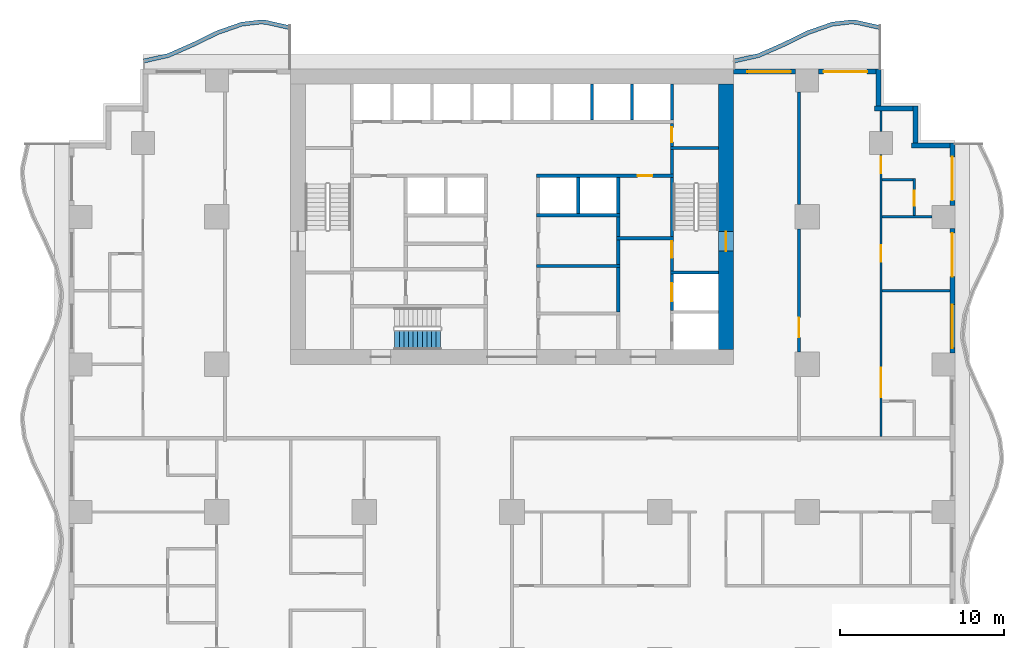
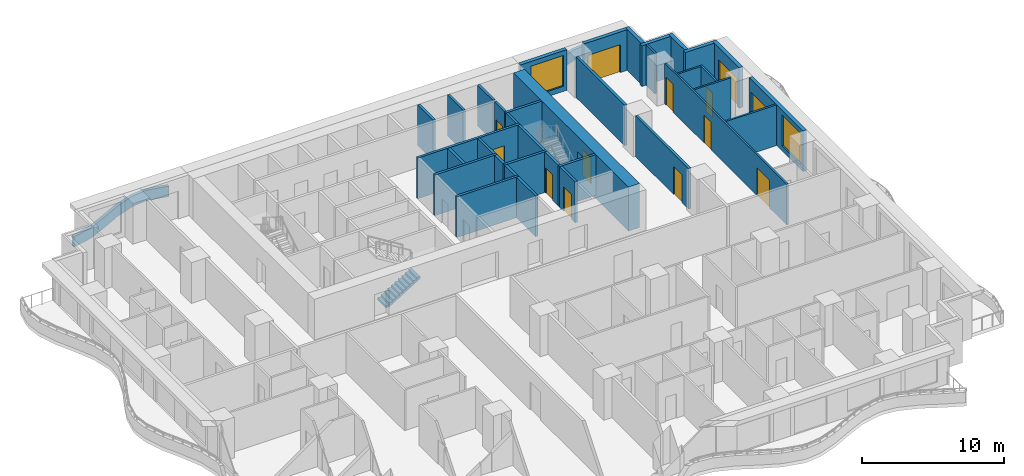
# One storey, part 6 of 14: 38 walls, 13 doors, 2 windows, 1 stair flight, 15 openings, 1 element without a shape of its own.
"""IFC4 building model written with IfcOpenShell, lengths in metres."""

from ifc_helpers import new_model, si_unit, direction, frame, frame_2d, origin, place, context, subcontext, project, spatial, polyline, rectangle, outline, extrude, material, layer, layer_set, type_object, element, fill, aggregate, save


model = new_model("IFC4")

# Units and contexts
model_context = context("Model", 3, precision=1e-05, world=origin(), true_north=direction((0.0, 1.0)))
body_context = subcontext(model_context, "Body", "Model", "MODEL_VIEW")
ifc_project = project(units=[si_unit("LENGTHUNIT", "METRE"), si_unit("AREAUNIT", "SQUARE_METRE"), si_unit("VOLUMEUNIT", "CUBIC_METRE"), si_unit("PLANEANGLEUNIT", "RADIAN"), si_unit("MASSUNIT", "GRAM", prefix="KILO")], contexts=[model_context])

# Site, building, storey
site_placement = place(None, origin())
site = spatial("IfcSite", under=ifc_project, at=site_placement, CompositionType="ELEMENT")
building_placement = place(site_placement, origin())
building = spatial("IfcBuilding", under=site, at=building_placement, Name="Orbiselva Terraces", CompositionType="ELEMENT")
storey_placement = place(building_placement, frame((0.0, 0.0, 49.2)))
storey = spatial("IfcBuildingStorey", under=building, at=storey_placement, Name="L12", CompositionType="ELEMENT", Elevation=49.2)

# Wall, opening, door
ifc_material_1 = material(Name="Concrete C80/95", Category="concrete")
ifc_layer_1 = layer(ifc_material_1, 0.9)
ifc_layer_set_1 = layer_set([ifc_layer_1], Name="Concrete C80/95")
wall_type_1 = type_object("IfcWallType", Name="CORE WALL 900", PredefinedType="SHEAR", material=ifc_layer_set_1)
wall_1_placement = place(storey_placement, frame((13.05, 5.4, -0.3), z_axis=(0.0, 0.0, 1.0), x_axis=(0.0, 1.0, 0.0)))
wall_1 = element("IfcWall", 1, at=wall_1_placement, inside=storey, type_object=wall_type_1, Name="Core wall L12 east", PredefinedType="SHEAR", context=body_context, shape_type="SweptSolid", body=[
    extrude(rectangle(XDim=16.2, YDim=0.9, at=frame_2d((8.1, 0.0))), origin(), (0.0, 0.0, 1.0), 3.8),
])
opening_1_placement = place(wall_1_placement, frame((6.0, 0.0, 0.3)))
opening_1 = element("IfcOpeningElement", 2, at=opening_1_placement, cuts=wall_1, Name="Opening DS1200", PredefinedType="OPENING", context=body_context, shape_type="SweptSolid", body=[
    extrude(rectangle(XDim=1.2, YDim=2.2, at=frame_2d((0.6, 1.1))), frame((0.0, 0.46, 0.0), z_axis=(0.0, -1.0, 0.0), x_axis=(1.0, 0.0, 0.0)), (0.0, 0.0, 1.0), 0.92),
])
ifc_material_2 = material(Name="Steel fire door", Category="steel")
door_type_1 = type_object("IfcDoorType", Name="STAIR DOOR 1200", OperationType="NOTDEFINED", PredefinedType="DOOR", material=ifc_material_2)
door_1_placement = place(opening_1_placement, frame((1.2, 0.0, 0.0), z_axis=(0.0, 0.0, 1.0), x_axis=(-1.0, 0.0, 0.0)))
door_1 = element("IfcDoor", 3, at=door_1_placement, inside=storey, type_object=door_type_1, Name="L12 EXIT STAIR S2 door", OperationType="SINGLE_SWING_LEFT", OverallHeight=2.2, OverallWidth=1.2, PredefinedType="DOOR", context=body_context, shape_type="SweptSolid", body=[
    extrude(rectangle(XDim=1.2, YDim=2.2, at=frame_2d((0.6, 1.1))), frame((0.0, 0.025, 0.0), z_axis=(0.0, -1.0, 0.0), x_axis=(1.0, 0.0, 0.0)), (0.0, 0.0, 1.0), 0.05),
])
fill(opening_1, door_1)

# Wall
ifc_material_3 = material(Name="Masonry blockwork", Category="masonry")
ifc_layer_2 = layer(ifc_material_3, 0.2)
ifc_layer_set_2 = layer_set([ifc_layer_2], Name="Masonry blockwork")
wall_type_2 = type_object("IfcWallType", Name="CORE-WALL-PARTITION-200", PredefinedType="PARTITIONING", material=ifc_layer_set_2)
wall_2_placement = place(storey_placement, frame((6.475, 12.3, 0.0), z_axis=(0.0, 0.0, 1.0), x_axis=(0.0, 1.0, 0.0)))
element("IfcWall", 4, at=wall_2_placement, inside=storey, type_object=wall_type_2, Name="L12 core wall 44", PredefinedType="PARTITIONING", context=body_context, shape_type="SweptSolid", body=[
    extrude(rectangle(XDim=1.2, YDim=0.2, at=frame_2d((0.6, 0.0))), origin(), (0.0, 0.0, 1.0), 3.5),
])

# Wall, opening, door
wall_3_placement = place(storey_placement, frame((9.75, 19.2, 0.0), z_axis=(0.0, 0.0, 1.0), x_axis=(0.0, -1.0, 0.0)))
wall_3 = element("IfcWall", 5, at=wall_3_placement, inside=storey, type_object=wall_type_2, Name="L12 core wall 55", PredefinedType="PARTITIONING", context=body_context, shape_type="SweptSolid", body=[
    extrude(rectangle(XDim=1.4, YDim=0.2, at=frame_2d((0.7, 0.0))), origin(), (0.0, 0.0, 1.0), 3.5),
])
opening_2_placement = place(wall_3_placement, frame((0.25, 0.0, 0.0)))
opening_2 = element("IfcOpeningElement", 6, at=opening_2_placement, cuts=wall_3, Name="Opening DR900", PredefinedType="OPENING", context=body_context, shape_type="SweptSolid", body=[
    extrude(rectangle(XDim=0.9, YDim=2.1, at=frame_2d((0.45, 1.05))), frame((0.0, 0.11, 0.0), z_axis=(0.0, -1.0, 0.0), x_axis=(1.0, 0.0, 0.0)), (0.0, 0.0, 1.0), 0.22),
])
door_type_2 = type_object("IfcDoorType", Name="ROOM DOOR 900", OperationType="NOTDEFINED", PredefinedType="DOOR", material=ifc_material_2)
door_2_placement = place(opening_2_placement, origin())
door_2 = element("IfcDoor", 7, at=door_2_placement, inside=storey, type_object=door_type_2, Name="L12 ELECTRICAL RISER ROOM door", OperationType="SINGLE_SWING_RIGHT", OverallHeight=2.1, OverallWidth=0.9, PredefinedType="DOOR", context=body_context, shape_type="SweptSolid", body=[
    extrude(rectangle(XDim=0.9, YDim=2.1, at=frame_2d((0.45, 1.05))), frame((0.0, 0.025, 0.0), z_axis=(0.0, -1.0, 0.0), x_axis=(1.0, 0.0, 0.0)), (0.0, 0.0, 1.0), 0.05),
])
fill(opening_2, door_2)

# Walls
ifc_material_4 = material(Name="Concrete C40/50", Category="concrete")
ifc_layer_3 = layer(ifc_material_4, 0.2)
ifc_layer_set_3 = layer_set([ifc_layer_3], Name="Concrete C40/50")
wall_type_3 = type_object("IfcWallType", Name="CORE-WALL-SHAFT-200", PredefinedType="PARTITIONING", material=ifc_layer_set_3)
for number, where, z_axis, x_axis, name in (
    (8, (4.0375, 13.7, 0.0), (0.0, 0.0, 1.0), (0.0, 1.0, 0.0), "L12 core wall 38"),
    (9, (4.875, 19.4, 0.0), (0.0, 0.0, 1.0), (0.0, 1.0, 0.0), "L12 core wall 39"),
    (10, (6.475, 13.7, 0.0), (0.0, 0.0, 1.0), (0.0, 1.0, 0.0), "L12 core wall 45"),
    (11, (7.3125, 19.4, 0.0), (0.0, 0.0, 1.0), (0.0, 1.0, 0.0), "L12 core wall 46"),
    (12, (9.75, 19.4, 0.0), (0.0, 0.0, 1.0), (0.0, 1.0, 0.0), "L12 core wall 56"),
):
    element("IfcWall", number, at=place(storey_placement, frame(where, z_axis=z_axis, x_axis=x_axis)), inside=storey, type_object=wall_type_3, Name=name, PredefinedType="PARTITIONING", context=body_context, shape_type="SweptSolid", body=[
        extrude(rectangle(XDim=2.2, YDim=0.2, at=frame_2d((1.1, 0.0))), origin(), (0.0, 0.0, 1.0), 3.5),
    ])
ifc_material_5 = material(Name="Concrete C60/75", Category="concrete")
ifc_layer_4 = layer(ifc_material_5, 0.2)
ifc_layer_set_4 = layer_set([ifc_layer_4], Name="Concrete C60/75")
wall_type_4 = type_object("IfcWallType", Name="CORE-WALL-SHEAR-200", PredefinedType="SHEAR", material=ifc_layer_set_4)
for number, where, z_axis, x_axis, name in (
    (13, (1.5, 10.5, 0.0), (0.0, 0.0, 1.0), (1.0, 0.0, 0.0), "L12 core wall 32"),
    (14, (1.5, 13.6, 0.0), (0.0, 0.0, 1.0), (1.0, 0.0, 0.0), "L12 core wall 34"),
):
    element("IfcWall", number, at=place(storey_placement, frame(where, z_axis=z_axis, x_axis=x_axis)), inside=storey, type_object=wall_type_4, Name=name, PredefinedType="SHEAR", context=body_context, shape_type="SweptSolid", body=[
        extrude(rectangle(XDim=5.075, YDim=0.2, at=frame_2d((2.5375, 0.0))), origin(), (0.0, 0.0, 1.0), 3.5),
    ])

# Wall, opening, door
wall_4_placement = place(storey_placement, frame((9.85, 16.0, 0.0), z_axis=(0.0, 0.0, 1.0), x_axis=(-1.0, 0.0, 0.0)))
wall_4 = element("IfcWall", 15, at=wall_4_placement, inside=storey, type_object=wall_type_4, Name="L12 core wall 36", PredefinedType="SHEAR", context=body_context, shape_type="SweptSolid", body=[
    extrude(rectangle(XDim=8.35, YDim=0.2, at=frame_2d((4.175, 0.0))), origin(), (0.0, 0.0, 1.0), 3.5),
])
opening_3_placement = place(wall_4_placement, frame((1.2875, 0.0, 0.0)))
opening_3 = element("IfcOpeningElement", 16, at=opening_3_placement, cuts=wall_4, Name="Opening DR900", PredefinedType="OPENING", context=body_context, shape_type="SweptSolid", body=[
    extrude(rectangle(XDim=0.9, YDim=2.1, at=frame_2d((0.45, 1.05))), frame((0.0, 0.11, 0.0), z_axis=(0.0, -1.0, 0.0), x_axis=(1.0, 0.0, 0.0)), (0.0, 0.0, 1.0), 0.22),
])
door_3_placement = place(opening_3_placement, origin())
door_3 = element("IfcDoor", 17, at=door_3_placement, inside=storey, type_object=door_type_2, Name="L12 PIPE RISER ROOM door", OperationType="SINGLE_SWING_LEFT", OverallHeight=2.1, OverallWidth=0.9, PredefinedType="DOOR", context=body_context, shape_type="SweptSolid", body=[
    extrude(rectangle(XDim=0.9, YDim=2.1, at=frame_2d((0.45, 1.05))), frame((0.0, 0.025, 0.0), z_axis=(0.0, -1.0, 0.0), x_axis=(1.0, 0.0, 0.0)), (0.0, 0.0, 1.0), 0.05),
])
fill(opening_3, door_3)

# Walls
wall_5_placement = place(storey_placement, frame((6.475, 7.7, 0.0), z_axis=(0.0, 0.0, 1.0), x_axis=(0.0, 1.0, 0.0)))
element("IfcWall", 18, at=wall_5_placement, inside=storey, type_object=wall_type_4, Name="L12 core wall 41", PredefinedType="SHEAR", context=body_context, shape_type="SweptSolid", body=[
    extrude(rectangle(XDim=2.7, YDim=0.2, at=frame_2d((1.35, 0.0))), origin(), (0.0, 0.0, 1.0), 3.5),
])
wall_6_placement = place(storey_placement, frame((6.475, 10.6, 0.0), z_axis=(0.0, 0.0, 1.0), x_axis=(0.0, 1.0, 0.0)))
element("IfcWall", 19, at=wall_6_placement, inside=storey, type_object=wall_type_4, Name="L12 core wall 42", PredefinedType="SHEAR", context=body_context, shape_type="SweptSolid", body=[
    extrude(rectangle(XDim=1.5, YDim=0.2, at=frame_2d((0.75, 0.0))), origin(), (0.0, 0.0, 1.0), 3.5),
])
wall_7_placement = place(storey_placement, frame((6.375, 12.2, 0.0), z_axis=(0.0, 0.0, 1.0), x_axis=(1.0, 0.0, 0.0)))
element("IfcWall", 20, at=wall_7_placement, inside=storey, type_object=wall_type_4, Name="L12 core wall 43", PredefinedType="SHEAR", context=body_context, shape_type="SweptSolid", body=[
    extrude(rectangle(XDim=3.475, YDim=0.2, at=frame_2d((1.7375, 0.0))), origin(), (0.0, 0.0, 1.0), 3.5),
])

# Wall, opening, door
wall_8_placement = place(storey_placement, frame((9.75, 7.8, 0.0), z_axis=(0.0, 0.0, 1.0), x_axis=(0.0, 1.0, 0.0)))
wall_8 = element("IfcWall", 21, at=wall_8_placement, inside=storey, type_object=wall_type_4, Name="L12 core wall 49", PredefinedType="SHEAR", context=body_context, shape_type="SweptSolid", body=[
    extrude(rectangle(XDim=2.2, YDim=0.2, at=frame_2d((1.1, 0.0))), origin(), (0.0, 0.0, 1.0), 3.5),
])
opening_4_placement = place(wall_8_placement, frame((0.55, 0.0, 0.0)))
opening_4 = element("IfcOpeningElement", 22, at=opening_4_placement, cuts=wall_8, Name="Opening LD-FF2", PredefinedType="OPENING", context=body_context, shape_type="SweptSolid", body=[
    extrude(rectangle(XDim=1.1, YDim=2.1, at=frame_2d((0.55, 1.05))), frame((0.0, 0.11, 0.0), z_axis=(0.0, -1.0, 0.0), x_axis=(1.0, 0.0, 0.0)), (0.0, 0.0, 1.0), 0.22),
])
ifc_material_6 = material(Name="Stainless steel landing door", Category="steel")
door_type_3 = type_object("IfcDoorType", Name="LANDING DOOR 1100", OperationType="SLIDING_TO_LEFT", PredefinedType="DOOR", material=ifc_material_6)
door_4_placement = place(opening_4_placement, origin())
door_4 = element("IfcDoor", 23, at=door_4_placement, inside=storey, type_object=door_type_3, Name="L12 landing door FF2", OperationType="SLIDING_TO_RIGHT", OverallHeight=2.1, OverallWidth=1.1, PredefinedType="DOOR", context=body_context, shape_type="SweptSolid", body=[
    extrude(rectangle(XDim=1.1, YDim=2.1, at=frame_2d((0.55, 1.05))), frame((0.0, 0.025, 0.0), z_axis=(0.0, -1.0, 0.0), x_axis=(1.0, 0.0, 0.0)), (0.0, 0.0, 1.0), 0.05),
])
fill(opening_4, door_4)

# Wall
wall_9_placement = place(storey_placement, frame((9.65, 10.1, 0.0), z_axis=(0.0, 0.0, 1.0), x_axis=(1.0, 0.0, 0.0)))
element("IfcWall", 24, at=wall_9_placement, inside=storey, type_object=wall_type_4, Name="L12 core wall 50", PredefinedType="SHEAR", context=body_context, shape_type="SweptSolid", body=[
    extrude(rectangle(XDim=2.95, YDim=0.2, at=frame_2d((1.475, 0.0))), origin(), (0.0, 0.0, 1.0), 3.5),
])

# Wall, opening, door
wall_10_placement = place(storey_placement, frame((9.75, 12.1, 0.0), z_axis=(0.0, 0.0, 1.0), x_axis=(0.0, -1.0, 0.0)))
wall_10 = element("IfcWall", 25, at=wall_10_placement, inside=storey, type_object=wall_type_4, Name="L12 core wall 51", PredefinedType="SHEAR", context=body_context, shape_type="SweptSolid", body=[
    extrude(rectangle(XDim=1.9, YDim=0.2, at=frame_2d((0.95, 0.0))), origin(), (0.0, 0.0, 1.0), 3.5),
])
opening_5_placement = place(wall_10_placement, frame((0.1, 0.0, 0.0)))
opening_5 = element("IfcOpeningElement", 26, at=opening_5_placement, cuts=wall_10, Name="Opening DS1000", PredefinedType="OPENING", context=body_context, shape_type="SweptSolid", body=[
    extrude(rectangle(XDim=1.0, YDim=2.2, at=frame_2d((0.5, 1.1))), frame((0.0, 0.11, 0.0), z_axis=(0.0, -1.0, 0.0), x_axis=(1.0, 0.0, 0.0)), (0.0, 0.0, 1.0), 0.22),
])
door_type_4 = type_object("IfcDoorType", Name="STAIR DOOR 1000", OperationType="NOTDEFINED", PredefinedType="DOOR", material=ifc_material_2)
door_5_placement = place(opening_5_placement, origin())
door_5 = element("IfcDoor", 27, at=door_5_placement, inside=storey, type_object=door_type_4, Name="L12 FIRE-FIGHTING LOBBY TO EXIT STAIR S2 door", OperationType="SINGLE_SWING_LEFT", OverallHeight=2.2, OverallWidth=1.0, PredefinedType="DOOR", context=body_context, shape_type="SweptSolid", body=[
    extrude(rectangle(XDim=1.0, YDim=2.2, at=frame_2d((0.5, 1.1))), frame((0.0, 0.025, 0.0), z_axis=(0.0, -1.0, 0.0), x_axis=(1.0, 0.0, 0.0)), (0.0, 0.0, 1.0), 0.05),
])
fill(opening_5, door_5)

# Walls
wall_11_placement = place(storey_placement, frame((9.75, 12.3, 0.0), z_axis=(0.0, 0.0, 1.0), x_axis=(0.0, 1.0, 0.0)))
element("IfcWall", 28, at=wall_11_placement, inside=storey, type_object=wall_type_4, Name="L12 core wall 52", PredefinedType="SHEAR", context=body_context, shape_type="SweptSolid", body=[
    extrude(rectangle(XDim=3.6, YDim=0.2, at=frame_2d((1.8, 0.0))), origin(), (0.0, 0.0, 1.0), 3.5),
])
wall_12_placement = place(storey_placement, frame((9.75, 16.1, 0.0), z_axis=(0.0, 0.0, 1.0), x_axis=(0.0, 1.0, 0.0)))
element("IfcWall", 29, at=wall_12_placement, inside=storey, type_object=wall_type_4, Name="L12 core wall 53", PredefinedType="SHEAR", context=body_context, shape_type="SweptSolid", body=[
    extrude(rectangle(XDim=1.5, YDim=0.2, at=frame_2d((0.75, 0.0))), origin(), (0.0, 0.0, 1.0), 3.5),
])
wall_13_placement = place(storey_placement, frame((9.65, 17.7, 0.0), z_axis=(0.0, 0.0, 1.0), x_axis=(1.0, 0.0, 0.0)))
element("IfcWall", 30, at=wall_13_placement, inside=storey, type_object=wall_type_4, Name="L12 core wall 54", PredefinedType="SHEAR", context=body_context, shape_type="SweptSolid", body=[
    extrude(rectangle(XDim=2.95, YDim=0.2, at=frame_2d((1.475, 0.0))), origin(), (0.0, 0.0, 1.0), 3.5),
])
ifc_layer_5 = layer(ifc_material_4, 0.25)
ifc_layer_set_5 = layer_set([ifc_layer_5], Name="Concrete C40/50")
wall_type_5 = type_object("IfcWallType", Name="ENV-PLANTER-250x900", PredefinedType="USERDEFINED", material=ifc_layer_set_5)
wall_14_placement = place(storey_placement, origin())
element("IfcWall", 31, at=wall_14_placement, inside=storey, type_object=wall_type_5, Name="Balcony planter L12 NE", ObjectType="PLANTER", PredefinedType="USERDEFINED", context=body_context, shape_type="SweptSolid", body=[
    extrude(outline(polyline([(22.5, 25.148528), (21.0, 25.485226), (20.625, 25.5), (19.5, 25.369208), (18.0, 24.844789), (16.5, 24.112279), (15.0, 23.451472), (13.5, 23.114774), (13.554754, 22.870844), (15.078508, 23.212874), (16.605286, 23.885477), (18.09644, 24.613667), (19.556371, 25.124078), (20.634572, 25.249429), (20.967435, 25.236315), (22.445246, 24.904598), (22.5, 25.148528)])), origin(), (0.0, 0.0, 1.0), 0.9),
])
wall_15_placement = place(storey_placement, origin())
element("IfcWall", 32, at=wall_15_placement, inside=storey, type_object=wall_type_5, Name="Balcony planter L12 NW", ObjectType="PLANTER", PredefinedType="USERDEFINED", context=body_context, shape_type="SweptSolid", body=[
    extrude(outline(polyline([(-13.5, 25.148528), (-15.0, 25.485226), (-15.375, 25.5), (-16.5, 25.369208), (-18.0, 24.844789), (-19.5, 24.112279), (-21.0, 23.451472), (-22.5, 23.114774), (-22.445246, 22.870844), (-20.921492, 23.212874), (-19.394714, 23.885477), (-17.90356, 24.613667), (-16.443629, 25.124078), (-15.365428, 25.249429), (-15.032565, 25.236315), (-13.554754, 24.904598), (-13.5, 25.148528)])), origin(), (0.0, 0.0, 1.0), 0.9),
])

# Wall, openings, door, window
ifc_material_7 = material(Name="Terracotta cladding on masonry backing", Category="masonry")
ifc_layer_6 = layer(ifc_material_7, 0.3)
ifc_layer_set_6 = layer_set([ifc_layer_6], Name="Terracotta cladding on masonry backing")
wall_type_6 = type_object("IfcWallType", Name="ENV-WALL-TERRACOTTA-300", PredefinedType="SOLIDWALL", material=ifc_layer_set_6)
wall_16_placement = place(storey_placement, frame((26.85, 12.8, 0.0), z_axis=(0.0, 0.0, 1.0), x_axis=(0.0, -1.0, 0.0)))
wall_16 = element("IfcWall", 33, at=wall_16_placement, inside=storey, type_object=wall_type_6, Name="Facade wall L12 E", PredefinedType="SOLIDWALL", context=body_context, shape_type="SweptSolid", body=[
    extrude(rectangle(XDim=7.6, YDim=0.3, at=frame_2d((3.8, 0.0))), origin(), (0.0, 0.0, 1.0), 3.5),
])
opening_6_placement = place(wall_16_placement, frame((4.65, 0.0, 0.45)))
opening_6 = element("IfcOpeningElement", 34, at=opening_6_placement, cuts=wall_16, Name="Opening WN3", PredefinedType="OPENING", context=body_context, shape_type="SweptSolid", body=[
    extrude(rectangle(XDim=2.65, YDim=2.65, at=frame_2d((1.325, 1.325))), frame((0.0, 0.16, 0.0), z_axis=(0.0, -1.0, 0.0), x_axis=(1.0, 0.0, 0.0)), (0.0, 0.0, 1.0), 0.32),
])
opening_7_placement = place(wall_16_placement, frame((0.3, 0.0, 0.0)))
opening_7 = element("IfcOpeningElement", 35, at=opening_7_placement, cuts=wall_16, Name="Opening Z1-D-E07", PredefinedType="OPENING", context=body_context, shape_type="SweptSolid", body=[
    extrude(rectangle(XDim=2.65, YDim=2.4, at=frame_2d((1.325, 1.2))), frame((0.0, 0.16, 0.0), z_axis=(0.0, -1.0, 0.0), x_axis=(1.0, 0.0, 0.0)), (0.0, 0.0, 1.0), 0.32),
])
ifc_material_8 = material(Name="Clear low-e glazing in aluminium frame", Category="aluminium")
door_type_5 = type_object("IfcDoorType", Name="BALCONY DOOR 2650 X 2400", OperationType="DOUBLE_DOOR_SLIDING", PredefinedType="DOOR", material=ifc_material_8)
door_6_placement = place(opening_7_placement, origin())
door_6 = element("IfcDoor", 36, at=door_6_placement, inside=storey, type_object=door_type_5, Name="Z1-D-E07", OperationType="SINGLE_SWING_LEFT", OverallHeight=2.4, OverallWidth=2.65, PredefinedType="DOOR", context=body_context, shape_type="SweptSolid", body=[
    extrude(rectangle(XDim=2.65, YDim=2.4, at=frame_2d((1.325, 1.2))), frame((0.0, 0.025, 0.0), z_axis=(0.0, -1.0, 0.0), x_axis=(1.0, 0.0, 0.0)), (0.0, 0.0, 1.0), 0.05),
])
fill(opening_7, door_6)
window_type = type_object("IfcWindowType", Name="WINDOW 2650 X 2650 S450", PartitioningType="TRIPLE_PANEL_VERTICAL", PredefinedType="WINDOW", material=ifc_material_8)
window_1_placement = place(opening_6_placement, origin())
window_1 = element("IfcWindow", 37, at=window_1_placement, inside=storey, type_object=window_type, Name="Window L12 E", OverallHeight=2.65, OverallWidth=2.65, PartitioningType="SINGLE_PANEL", PredefinedType="WINDOW", context=body_context, shape_type="SweptSolid", body=[
    extrude(rectangle(XDim=2.65, YDim=2.65, at=frame_2d((1.325, 1.325))), frame((0.0, 0.03, 0.0), z_axis=(0.0, -1.0, 0.0), x_axis=(1.0, 0.0, 0.0)), (0.0, 0.0, 1.0), 0.06),
])
fill(opening_6, window_1)

# Wall, opening, door
wall_17_placement = place(storey_placement, frame((26.85, 18.0, 0.0), z_axis=(0.0, 0.0, 1.0), x_axis=(0.0, -1.0, 0.0)))
wall_17 = element("IfcWall", 38, at=wall_17_placement, inside=storey, type_object=wall_type_6, Name="Facade wall L12 E", PredefinedType="SOLIDWALL", context=body_context, shape_type="SweptSolid", body=[
    extrude(rectangle(XDim=3.8, YDim=0.3, at=frame_2d((1.9, 0.0))), origin(), (0.0, 0.0, 1.0), 3.5),
])
opening_8_placement = place(wall_17_placement, frame((0.85, 0.0, 0.0)))
opening_8 = element("IfcOpeningElement", 39, at=opening_8_placement, cuts=wall_17, Name="Opening Z1-D-E08", PredefinedType="OPENING", context=body_context, shape_type="SweptSolid", body=[
    extrude(rectangle(XDim=2.65, YDim=2.4, at=frame_2d((1.325, 1.2))), frame((0.0, 0.16, 0.0), z_axis=(0.0, -1.0, 0.0), x_axis=(1.0, 0.0, 0.0)), (0.0, 0.0, 1.0), 0.32),
])
door_7_placement = place(opening_8_placement, origin())
door_7 = element("IfcDoor", 40, at=door_7_placement, inside=storey, type_object=door_type_5, Name="Z1-D-E08", OperationType="SINGLE_SWING_LEFT", OverallHeight=2.4, OverallWidth=2.65, PredefinedType="DOOR", context=body_context, shape_type="SweptSolid", body=[
    extrude(rectangle(XDim=2.65, YDim=2.4, at=frame_2d((1.325, 1.2))), frame((0.0, 0.025, 0.0), z_axis=(0.0, -1.0, 0.0), x_axis=(1.0, 0.0, 0.0)), (0.0, 0.0, 1.0), 0.05),
])
fill(opening_8, door_7)

# Walls
wall_18_placement = place(storey_placement, frame((24.35, 17.85, 0.0), z_axis=(0.0, 0.0, 1.0), x_axis=(1.0, 0.0, 0.0)))
element("IfcWall", 41, at=wall_18_placement, inside=storey, type_object=wall_type_6, Name="Facade wall L12 STEP", PredefinedType="SOLIDWALL", context=body_context, shape_type="SweptSolid", body=[
    extrude(rectangle(XDim=2.35, YDim=0.3, at=frame_2d((1.175, 0.0))), origin(), (0.0, 0.0, 1.0), 3.5),
])
wall_19_placement = place(storey_placement, frame((24.6, 20.25, 0.0), z_axis=(0.0, 0.0, 1.0), x_axis=(0.0, -1.0, 0.0)))
element("IfcWall", 42, at=wall_19_placement, inside=storey, type_object=wall_type_6, Name="Facade wall L12 STEP", PredefinedType="SOLIDWALL", context=body_context, shape_type="SweptSolid", body=[
    extrude(rectangle(XDim=2.25, YDim=0.3, at=frame_2d((1.125, 0.0))), origin(), (0.0, 0.0, 1.0), 3.5),
])
wall_20_placement = place(storey_placement, frame((22.1, 20.1, 0.0), z_axis=(0.0, 0.0, 1.0), x_axis=(1.0, 0.0, 0.0)))
element("IfcWall", 43, at=wall_20_placement, inside=storey, type_object=wall_type_6, Name="Facade wall L12 STEP", PredefinedType="SOLIDWALL", context=body_context, shape_type="SweptSolid", body=[
    extrude(rectangle(XDim=2.35, YDim=0.3, at=frame_2d((1.175, 0.0))), origin(), (0.0, 0.0, 1.0), 3.5),
])
wall_21_placement = place(storey_placement, frame((22.35, 22.5, 0.0), z_axis=(0.0, 0.0, 1.0), x_axis=(0.0, -1.0, 0.0)))
element("IfcWall", 44, at=wall_21_placement, inside=storey, type_object=wall_type_6, Name="Facade wall L12 STEP", PredefinedType="SOLIDWALL", context=body_context, shape_type="SweptSolid", body=[
    extrude(rectangle(XDim=2.25, YDim=0.3, at=frame_2d((1.125, 0.0))), origin(), (0.0, 0.0, 1.0), 3.5),
])

# Wall, opening, door
wall_22_placement = place(storey_placement, frame((18.7, 22.35, 0.0), z_axis=(0.0, 0.0, 1.0), x_axis=(1.0, 0.0, 0.0)))
wall_22 = element("IfcWall", 45, at=wall_22_placement, inside=storey, type_object=wall_type_6, Name="Facade wall L12 NE", PredefinedType="SOLIDWALL", context=body_context, shape_type="SweptSolid", body=[
    extrude(rectangle(XDim=3.5, YDim=0.3, at=frame_2d((1.75, 0.0))), origin(), (0.0, 0.0, 1.0), 3.5),
])
opening_9_placement = place(wall_22_placement, frame((0.3, 0.0, 0.0)))
opening_9 = element("IfcOpeningElement", 46, at=opening_9_placement, cuts=wall_22, Name="Opening Z1-D-E09", PredefinedType="OPENING", context=body_context, shape_type="SweptSolid", body=[
    extrude(rectangle(XDim=2.65, YDim=2.4, at=frame_2d((1.325, 1.2))), frame((0.0, 0.16, 0.0), z_axis=(0.0, -1.0, 0.0), x_axis=(1.0, 0.0, 0.0)), (0.0, 0.0, 1.0), 0.32),
])
door_8_placement = place(opening_9_placement, origin())
door_8 = element("IfcDoor", 47, at=door_8_placement, inside=storey, type_object=door_type_5, Name="Z1-D-E09", OperationType="SINGLE_SWING_LEFT", OverallHeight=2.4, OverallWidth=2.65, PredefinedType="DOOR", context=body_context, shape_type="SweptSolid", body=[
    extrude(rectangle(XDim=2.65, YDim=2.4, at=frame_2d((1.325, 1.2))), frame((0.0, 0.025, 0.0), z_axis=(0.0, -1.0, 0.0), x_axis=(1.0, 0.0, 0.0)), (0.0, 0.0, 1.0), 0.05),
])
fill(opening_9, door_8)

# Wall, opening, window
wall_23_placement = place(storey_placement, frame((13.5, 22.35, 0.0), z_axis=(0.0, 0.0, 1.0), x_axis=(1.0, 0.0, 0.0)))
wall_23 = element("IfcWall", 48, at=wall_23_placement, inside=storey, type_object=wall_type_6, Name="Facade wall L12 NE", PredefinedType="SOLIDWALL", context=body_context, shape_type="SweptSolid", body=[
    extrude(rectangle(XDim=3.8, YDim=0.3, at=frame_2d((1.9, 0.0))), origin(), (0.0, 0.0, 1.0), 3.5),
])
opening_10_placement = place(wall_23_placement, frame((0.85, 0.0, 0.45)))
opening_10 = element("IfcOpeningElement", 49, at=opening_10_placement, cuts=wall_23, Name="Opening WN3", PredefinedType="OPENING", context=body_context, shape_type="SweptSolid", body=[
    extrude(rectangle(XDim=2.65, YDim=2.65, at=frame_2d((1.325, 1.325))), frame((0.0, 0.16, 0.0), z_axis=(0.0, -1.0, 0.0), x_axis=(1.0, 0.0, 0.0)), (0.0, 0.0, 1.0), 0.32),
])
window_2_placement = place(opening_10_placement, origin())
window_2 = element("IfcWindow", 50, at=window_2_placement, inside=storey, type_object=window_type, Name="Window L12 NE", OverallHeight=2.65, OverallWidth=2.65, PartitioningType="SINGLE_PANEL", PredefinedType="WINDOW", context=body_context, shape_type="SweptSolid", body=[
    extrude(rectangle(XDim=2.65, YDim=2.65, at=frame_2d((1.325, 1.325))), frame((0.0, 0.03, 0.0), z_axis=(0.0, -1.0, 0.0), x_axis=(1.0, 0.0, 0.0)), (0.0, 0.0, 1.0), 0.06),
])
fill(opening_10, window_2)

# Wall, opening, door
ifc_material_9 = material(Name="Plasterboard on steel stud partition", Category="steel")
ifc_layer_7 = layer(ifc_material_9, 0.2)
ifc_layer_set_7 = layer_set([ifc_layer_7], Name="Plasterboard on steel stud partition")
wall_type_7 = type_object("IfcWallType", Name="UNIT-ENTRANCE-WALL-200", PredefinedType="PARTITIONING", material=ifc_layer_set_7)
wall_24_placement = place(storey_placement, frame((17.5, 12.75, 0.0), z_axis=(0.0, 0.0, 1.0), x_axis=(0.0, -1.0, 0.0)))
wall_24 = element("IfcWall", 51, at=wall_24_placement, inside=storey, type_object=wall_type_7, Name="PARTITION L12-076", PredefinedType="PARTITIONING", context=body_context, shape_type="SweptSolid", body=[
    extrude(rectangle(XDim=7.5, YDim=0.2, at=frame_2d((3.75, 0.0))), origin(), (0.0, 0.0, 1.0), 3.5),
])
opening_11_placement = place(wall_24_placement, frame((5.4, 0.0, 0.0)))
opening_11 = element("IfcOpeningElement", 52, at=opening_11_placement, cuts=wall_24, Name="Opening Z1-D-07", PredefinedType="OPENING", context=body_context, shape_type="SweptSolid", body=[
    extrude(rectangle(XDim=1.2, YDim=2.4, at=frame_2d((0.6, 1.2))), frame((0.0, 0.11, 0.0), z_axis=(0.0, -1.0, 0.0), x_axis=(1.0, 0.0, 0.0)), (0.0, 0.0, 1.0), 0.22),
])
ifc_material_10 = material(Name="Painted timber door leaf", Category="wood")
door_type_6 = type_object("IfcDoorType", Name="ENTRANCE DOOR 1200", OperationType="NOTDEFINED", PredefinedType="DOOR", material=ifc_material_10)
door_9_placement = place(opening_11_placement, origin())
door_9 = element("IfcDoor", 53, at=door_9_placement, inside=storey, type_object=door_type_6, Name="Z1-D-07", OperationType="SINGLE_SWING_RIGHT", OverallHeight=2.4, OverallWidth=1.2, PredefinedType="DOOR", context=body_context, shape_type="SweptSolid", body=[
    extrude(rectangle(XDim=1.2, YDim=2.4, at=frame_2d((0.6, 1.2))), frame((0.0, 0.025, 0.0), z_axis=(0.0, -1.0, 0.0), x_axis=(1.0, 0.0, 0.0)), (0.0, 0.0, 1.0), 0.05),
])
fill(opening_11, door_9)

# Walls
wall_25_placement = place(storey_placement, frame((17.5, 14.25, 0.0), z_axis=(0.0, 0.0, 1.0), x_axis=(0.0, 1.0, 0.0)))
element("IfcWall", 54, at=wall_25_placement, inside=storey, type_object=wall_type_7, Name="PARTITION L12-077", PredefinedType="PARTITIONING", context=body_context, shape_type="SweptSolid", body=[
    extrude(rectangle(XDim=6.85, YDim=0.2, at=frame_2d((3.425, 0.0))), origin(), (0.0, 0.0, 1.0), 3.5),
])
ifc_layer_8 = layer(ifc_material_9, 0.15)
ifc_layer_set_8 = layer_set([ifc_layer_8], Name="Plasterboard on steel stud partition")
wall_type_8 = type_object("IfcWallType", Name="UNIT-PARTITION-150", PredefinedType="PARTITIONING", material=ifc_layer_set_8)
wall_26_placement = place(storey_placement, frame((22.575, 9.0, 0.0), z_axis=(0.0, 0.0, 1.0), x_axis=(1.0, 0.0, 0.0)))
element("IfcWall", 55, at=wall_26_placement, inside=storey, type_object=wall_type_8, Name="PARTITION L12-037", PredefinedType="PARTITIONING", context=body_context, shape_type="SweptSolid", body=[
    extrude(rectangle(XDim=4.125, YDim=0.15, at=frame_2d((2.0625, 0.0))), origin(), (0.0, 0.0, 1.0), 3.5),
])
wall_27_placement = place(storey_placement, frame((22.575, 13.5, 0.0), z_axis=(0.0, 0.0, 1.0), x_axis=(1.0, 0.0, 0.0)))
element("IfcWall", 56, at=wall_27_placement, inside=storey, type_object=wall_type_8, Name="PARTITION L12-039", PredefinedType="PARTITIONING", context=body_context, shape_type="SweptSolid", body=[
    extrude(rectangle(XDim=3.025, YDim=0.15, at=frame_2d((1.5125, 0.0))), origin(), (0.0, 0.0, 1.0), 3.5),
])
wall_28_placement = place(storey_placement, frame((22.575, 15.75, 0.0), z_axis=(0.0, 0.0, 1.0), x_axis=(1.0, 0.0, 0.0)))
element("IfcWall", 57, at=wall_28_placement, inside=storey, type_object=wall_type_8, Name="PARTITION L12-040", PredefinedType="PARTITIONING", context=body_context, shape_type="SweptSolid", body=[
    extrude(rectangle(XDim=1.875, YDim=0.15, at=frame_2d((0.9375, 0.0))), origin(), (0.0, 0.0, 1.0), 3.5),
])

# Wall, openings, doors
wall_29_placement = place(storey_placement, frame((22.5, 17.3, 0.0), z_axis=(0.0, 0.0, 1.0), x_axis=(0.0, -1.0, 0.0)))
wall_29 = element("IfcWall", 58, at=wall_29_placement, inside=storey, type_object=wall_type_8, Name="PARTITION L12-081", PredefinedType="PARTITIONING", context=body_context, shape_type="SweptSolid", body=[
    extrude(rectangle(XDim=17.2, YDim=0.15, at=frame_2d((8.6, 0.0))), origin(), (0.0, 0.0, 1.0), 3.5),
])
opening_12_placement = place(wall_29_placement, frame((13.0, 0.0, 0.0)))
opening_12 = element("IfcOpeningElement", 59, at=opening_12_placement, cuts=wall_29, Name="Opening Z1-D-08", PredefinedType="OPENING", context=body_context, shape_type="SweptSolid", body=[
    extrude(rectangle(XDim=1.8, YDim=2.4, at=frame_2d((0.9, 1.2))), frame((0.0, 0.085, 0.0), z_axis=(0.0, -1.0, 0.0), x_axis=(1.0, 0.0, 0.0)), (0.0, 0.0, 1.0), 0.17),
])
opening_13_placement = place(wall_29_placement, frame((5.55, 0.0, 0.0)))
opening_13 = element("IfcOpeningElement", 60, at=opening_13_placement, cuts=wall_29, Name="Opening Z1-D-10", PredefinedType="OPENING", context=body_context, shape_type="SweptSolid", body=[
    extrude(rectangle(XDim=1.0, YDim=2.4, at=frame_2d((0.5, 1.2))), frame((0.0, 0.085, 0.0), z_axis=(0.0, -1.0, 0.0), x_axis=(1.0, 0.0, 0.0)), (0.0, 0.0, 1.0), 0.17),
])
opening_14_placement = place(wall_29_placement, frame((0.15, 0.0, 0.0)))
opening_14 = element("IfcOpeningElement", 61, at=opening_14_placement, cuts=wall_29, Name="Opening Z1-D-11", PredefinedType="OPENING", context=body_context, shape_type="SweptSolid", body=[
    extrude(rectangle(XDim=1.0, YDim=2.4, at=frame_2d((0.5, 1.2))), frame((0.0, 0.085, 0.0), z_axis=(0.0, -1.0, 0.0), x_axis=(1.0, 0.0, 0.0)), (0.0, 0.0, 1.0), 0.17),
])
door_type_7 = type_object("IfcDoorType", Name="DOUBLE DOOR 1800", OperationType="NOTDEFINED", PredefinedType="DOOR", material=ifc_material_10)
door_10_placement = place(opening_12_placement, origin())
door_10 = element("IfcDoor", 62, at=door_10_placement, inside=storey, type_object=door_type_7, Name="Z1-D-08", OperationType="DOUBLE_DOOR_SINGLE_SWING", OverallHeight=2.4, OverallWidth=1.8, PredefinedType="DOOR", context=body_context, shape_type="SweptSolid", body=[
    extrude(rectangle(XDim=1.8, YDim=2.4, at=frame_2d((0.9, 1.2))), frame((0.0, 0.025, 0.0), z_axis=(0.0, -1.0, 0.0), x_axis=(1.0, 0.0, 0.0)), (0.0, 0.0, 1.0), 0.05),
])
fill(opening_12, door_10)
door_type_8 = type_object("IfcDoorType", Name="ROOM DOOR 1000", OperationType="NOTDEFINED", PredefinedType="DOOR", material=ifc_material_10)
door_11_placement = place(opening_13_placement, origin())
door_11 = element("IfcDoor", 63, at=door_11_placement, inside=storey, type_object=door_type_8, Name="Z1-D-10", OperationType="SINGLE_SWING_LEFT", OverallHeight=2.4, OverallWidth=1.0, PredefinedType="DOOR", context=body_context, shape_type="SweptSolid", body=[
    extrude(rectangle(XDim=1.0, YDim=2.4, at=frame_2d((0.5, 1.2))), frame((0.0, 0.025, 0.0), z_axis=(0.0, -1.0, 0.0), x_axis=(1.0, 0.0, 0.0)), (0.0, 0.0, 1.0), 0.05),
])
fill(opening_13, door_11)
door_12_placement = place(opening_14_placement, origin())
door_12 = element("IfcDoor", 64, at=door_12_placement, inside=storey, type_object=door_type_8, Name="Z1-D-11", OperationType="SINGLE_SWING_LEFT", OverallHeight=2.4, OverallWidth=1.0, PredefinedType="DOOR", context=body_context, shape_type="SweptSolid", body=[
    extrude(rectangle(XDim=1.0, YDim=2.4, at=frame_2d((0.5, 1.2))), frame((0.0, 0.025, 0.0), z_axis=(0.0, -1.0, 0.0), x_axis=(1.0, 0.0, 0.0)), (0.0, 0.0, 1.0), 0.05),
])
fill(opening_14, door_12)

# Wall
wall_30_placement = place(storey_placement, frame((22.5, 18.7, 0.0), z_axis=(0.0, 0.0, 1.0), x_axis=(0.0, 1.0, 0.0)))
element("IfcWall", 65, at=wall_30_placement, inside=storey, type_object=wall_type_8, Name="PARTITION L12-082", PredefinedType="PARTITIONING", context=body_context, shape_type="SweptSolid", body=[
    extrude(rectangle(XDim=1.25, YDim=0.15, at=frame_2d((0.625, 0.0))), origin(), (0.0, 0.0, 1.0), 3.5),
])

# Wall, opening, door
wall_31_placement = place(storey_placement, frame((24.525, 13.575, 0.0), z_axis=(0.0, 0.0, 1.0), x_axis=(0.0, 1.0, 0.0)))
wall_31 = element("IfcWall", 66, at=wall_31_placement, inside=storey, type_object=wall_type_8, Name="PARTITION L12-085", PredefinedType="PARTITIONING", context=body_context, shape_type="SweptSolid", body=[
    extrude(rectangle(XDim=2.25, YDim=0.15, at=frame_2d((1.125, 0.0))), origin(), (0.0, 0.0, 1.0), 3.5),
])
opening_15_placement = place(wall_31_placement, frame((0.6, 0.0, 0.0)))
opening_15 = element("IfcOpeningElement", 67, at=opening_15_placement, cuts=wall_31, Name="Opening Z1-D-12", PredefinedType="OPENING", context=body_context, shape_type="SweptSolid", body=[
    extrude(rectangle(XDim=0.9, YDim=2.1, at=frame_2d((0.45, 1.05))), frame((0.0, 0.085, 0.0), z_axis=(0.0, -1.0, 0.0), x_axis=(1.0, 0.0, 0.0)), (0.0, 0.0, 1.0), 0.17),
])
door_type_9 = type_object("IfcDoorType", Name="BATH DOOR 900", OperationType="NOTDEFINED", PredefinedType="DOOR", material=ifc_material_10)
door_13_placement = place(opening_15_placement, origin())
door_13 = element("IfcDoor", 68, at=door_13_placement, inside=storey, type_object=door_type_9, Name="Z1-D-12", OperationType="SINGLE_SWING_LEFT", OverallHeight=2.1, OverallWidth=0.9, PredefinedType="DOOR", context=body_context, shape_type="SweptSolid", body=[
    extrude(rectangle(XDim=0.9, YDim=2.1, at=frame_2d((0.45, 1.05))), frame((0.0, 0.025, 0.0), z_axis=(0.0, -1.0, 0.0), x_axis=(1.0, 0.0, 0.0)), (0.0, 0.0, 1.0), 0.05),
])
fill(opening_15, door_13)

# Stair, stair flight
stair_type = type_object("IfcStairType", Name="CORE-STAIR-1200", PredefinedType="HALF_TURN_STAIR", material=ifc_material_4)
stair_placement = place(storey_placement, origin())
stair = element("IfcStair", 69, at=stair_placement, inside=storey, type_object=stair_type, Name="L12 Exit Stair S3", PredefinedType="HALF_TURN_STAIR")
stair_flight_type = type_object("IfcStairFlightType", Name="CORE-STAIR-FLIGHT-1200", PredefinedType="STRAIGHT", material=ifc_material_4)
stair_flight_placement = place(storey_placement, frame((-7.15, 6.0, 0.0), z_axis=(0.0, 0.0, 1.0), x_axis=(1.0, 0.0, 0.0)))
stair_flight = element("IfcStairFlight", 70, at=stair_flight_placement, type_object=stair_flight_type, Name="S3 flight 1", NumberOfRisers=11, NumberOfTreads=10, PredefinedType="STRAIGHT", RiserHeight=0.172727273, TreadLength=0.28, context=body_context, shape_type="SweptSolid", body=[
    extrude(outline(polyline([(0.0, 0.0), (0.0, 0.172727), (0.28, 0.172727), (0.28, 0.345455), (0.56, 0.345455), (0.56, 0.518182), (0.84, 0.518182), (0.84, 0.690909), (1.12, 0.690909), (1.12, 0.863636), (1.4, 0.863636), (1.4, 1.036364), (1.68, 1.036364), (1.68, 1.209091), (1.96, 1.209091), (1.96, 1.381818), (2.24, 1.381818), (2.24, 1.554545), (2.52, 1.554545), (2.52, 1.727273), (2.8, 1.727273), (2.8, 1.9), (2.8, 1.551028), (0.285702, 0.0), (0.0, 0.0)])), frame((0.0, 0.6, 0.0), z_axis=(0.0, -1.0, 0.0), x_axis=(1.0, 0.0, 0.0)), (0.0, 0.0, 1.0), 1.2),
])
aggregate(stair, [stair_flight])

save(model, "model.ifc")
